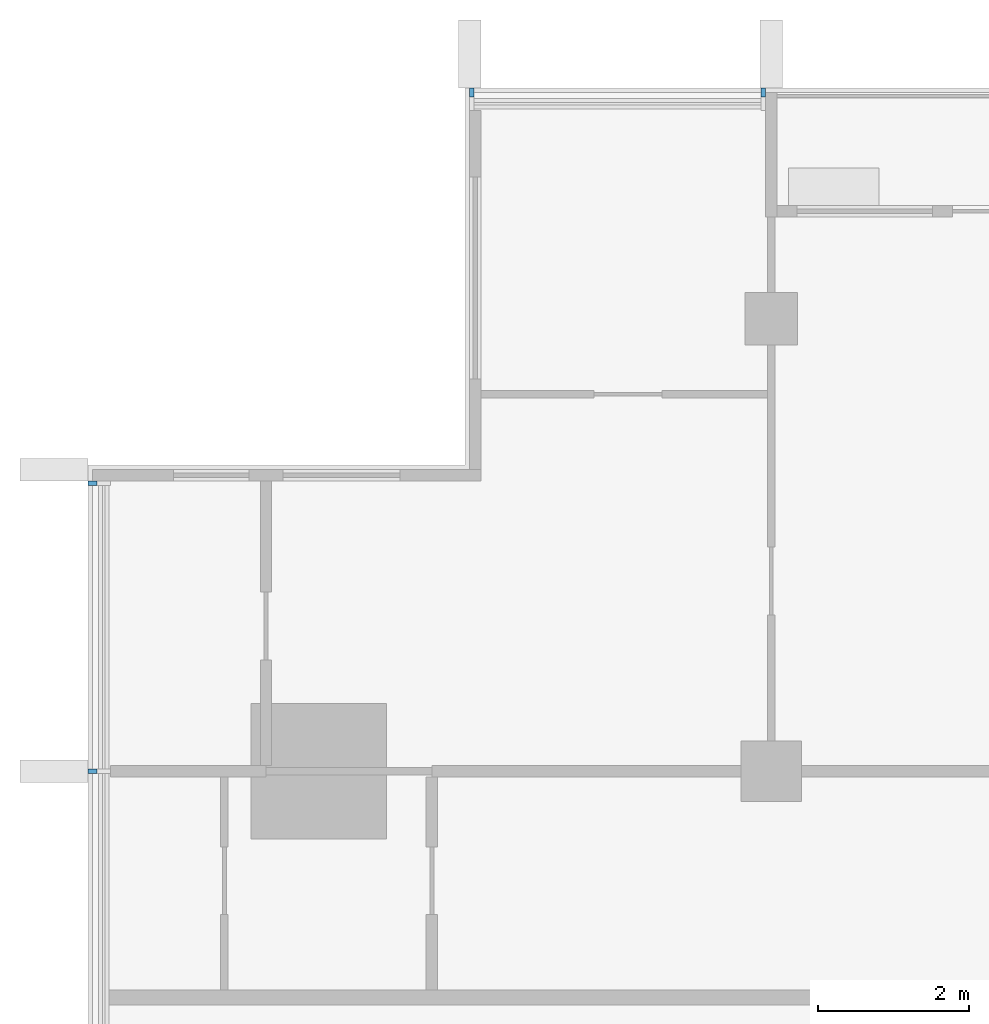
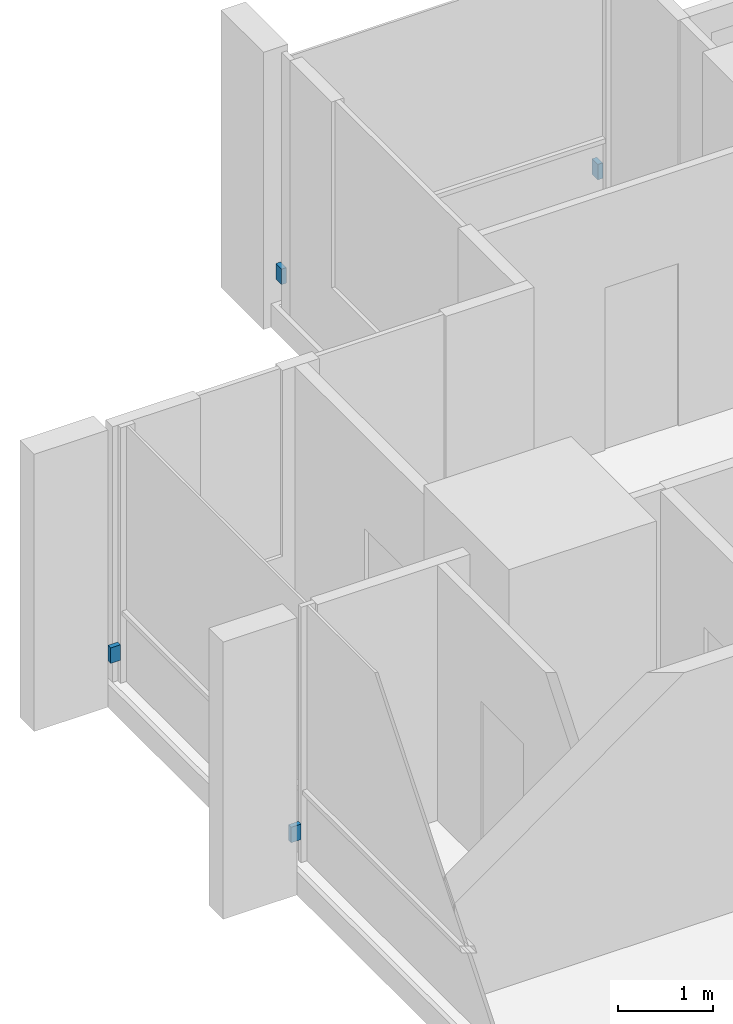
# One storey, part 14 of 16: 4 discrete accessories.
"""IFC4 building model written with IfcOpenShell, lengths in metres."""

from ifc_helpers import new_model, si_unit, direction, frame, origin, origin_2d, place, context, subcontext, project, spatial, rectangle, extrude, material, type_object, element, save


model = new_model("IFC4")

# Units and contexts
model_context = context("Model", 3, precision=1e-05, world=origin(), true_north=direction((0.0, 1.0)))
body_context = subcontext(model_context, "Body", "Model", "MODEL_VIEW")
ifc_project = project(units=[si_unit("LENGTHUNIT", "METRE"), si_unit("AREAUNIT", "SQUARE_METRE"), si_unit("VOLUMEUNIT", "CUBIC_METRE"), si_unit("PLANEANGLEUNIT", "RADIAN"), si_unit("MASSUNIT", "GRAM", prefix="KILO")], contexts=[model_context])

# Site, building, storey
site_placement = place(None, origin())
site = spatial("IfcSite", under=ifc_project, at=site_placement, CompositionType="ELEMENT")
building_placement = place(site_placement, origin())
building = spatial("IfcBuilding", under=site, at=building_placement, Name="Finial Court Residences", CompositionType="ELEMENT")
storey_placement = place(building_placement, frame((0.0, 0.0, 277.10009765625)))
storey = spatial("IfcBuildingStorey", under=building, at=storey_placement, Name="L70", CompositionType="ELEMENT", Elevation=277.10009765625)

# Discrete accessories
ifc_material = material(Name="Stainless steel 316", Category="steel")
discrete_accessory_type = type_object("IfcDiscreteAccessoryType", Name="Fin bracket, stainless steel 60 x 122 x 200", PredefinedType="BRACKET", material=ifc_material)
for number, where, z_axis, x_axis, name in (
    (1, (-14.469970703125, 16.498779296875, 0.2998046875), (0.0, 0.0, 1.0), (1.0, 0.0, 0.0), "E-L70-FIN-N1-BRK"),
    (2, (-10.60498046875, 16.498779296875, 0.2998046875), (0.0, 0.0, 1.0), (1.0, 0.0, 0.0), "E-L70-FIN-N2-BRK"),
):
    element("IfcDiscreteAccessory", number, at=place(storey_placement, frame(where, z_axis=z_axis, x_axis=x_axis)), inside=storey, type_object=discrete_accessory_type, Name=name, PredefinedType="BRACKET", context=body_context, shape_type="SweptSolid", body=[
        extrude(rectangle(XDim=0.06005859375, YDim=0.12255859375, at=origin_2d()), origin(), (0.0, 0.0, 1.0), 0.199951171875),
    ])
for number, where, z_axis, x_axis, name in (
    (3, (-19.498779296875, 7.5, 0.2998046875), (0.0, 0.0, 1.0), (1.0, 0.0, 0.0), "E-L70-FIN-W25-BRK"),
    (4, (-19.498779296875, 11.320068359375, 0.2998046875), (0.0, 0.0, 1.0), (1.0, 0.0, 0.0), "E-L70-FIN-W26-BRK"),
):
    element("IfcDiscreteAccessory", number, at=place(storey_placement, frame(where, z_axis=z_axis, x_axis=x_axis)), inside=storey, type_object=discrete_accessory_type, Name=name, PredefinedType="BRACKET", context=body_context, shape_type="SweptSolid", body=[
        extrude(rectangle(XDim=0.12255859375, YDim=0.06005859375, at=origin_2d()), origin(), (0.0, 0.0, 1.0), 0.199951171875),
    ])

save(model, "model.ifc")
